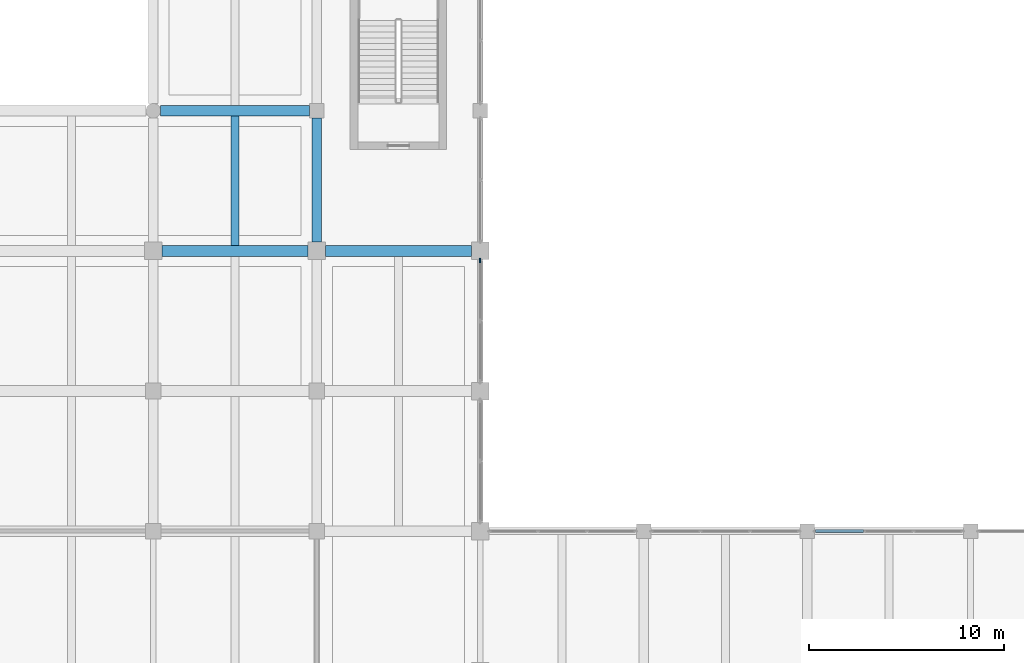
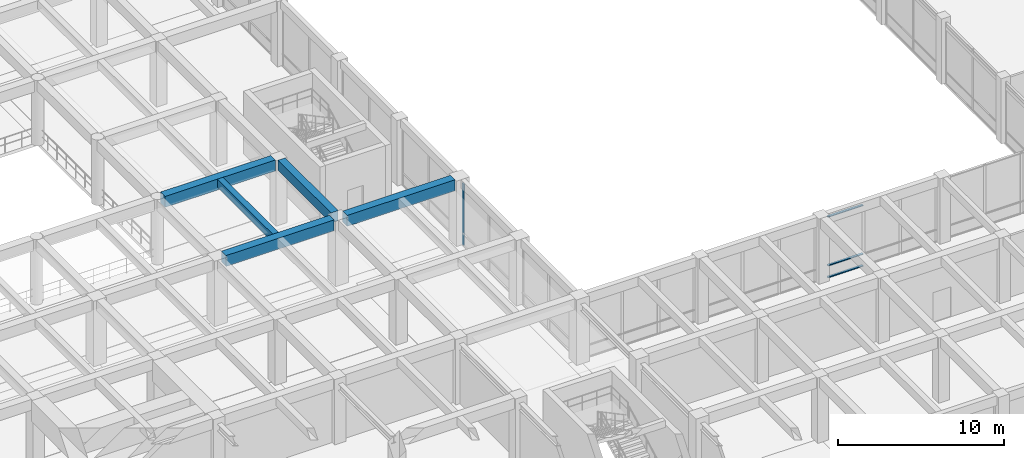
# One storey, part 17 of 52: 5 beams, 4 members, 2 elements without a shape of their own.
"""IFC4 building model written with IfcOpenShell, lengths in metres."""

from ifc_helpers import new_model, si_unit, direction, frame, origin, origin_2d, place, context, subcontext, project, spatial, rectangle, extrude, material, material_profile, profile_set, type_object, element, aggregate, save


model = new_model("IFC4")

# Units and contexts
model_context = context("Model", 3, precision=1e-05, world=origin(), true_north=direction((0.0, 1.0)))
body_context = subcontext(model_context, "Body", "Model", "MODEL_VIEW")
ifc_project = project(units=[si_unit("LENGTHUNIT", "METRE"), si_unit("AREAUNIT", "SQUARE_METRE"), si_unit("VOLUMEUNIT", "CUBIC_METRE"), si_unit("PLANEANGLEUNIT", "RADIAN"), si_unit("MASSUNIT", "GRAM", prefix="KILO")], contexts=[model_context])

# Site, building, storey
site_placement = place(None, origin())
site = spatial("IfcSite", under=ifc_project, at=site_placement, CompositionType="ELEMENT")
building_placement = place(site_placement, origin())
building = spatial("IfcBuilding", under=site, at=building_placement, Name="Kenerak Square Central Library", CompositionType="ELEMENT")
storey_placement = place(building_placement, frame((0.0, 0.0, 4.800048828125)))
storey = spatial("IfcBuildingStorey", under=building, at=storey_placement, Name="L01", CompositionType="ELEMENT", Elevation=4.800048828125)

# Curtain wall, member
ifc_material_1 = material(Name="Anodised aluminium and solar-control low-E glazing", Category="aluminium")
curtain_wall_type_1 = type_object("IfcCurtainWallType", Name="Curtain Wall CW-V1-63x45 6300x4500", PredefinedType="USERDEFINED", material=ifc_material_1)
curtain_wall_1_placement = place(storey_placement, origin())
curtain_wall_1 = element("IfcCurtainWall", 1, at=curtain_wall_1_placement, inside=storey, type_object=curtain_wall_type_1, Name="Curtain Wall CW-V1-63x45 L01 0033", ObjectType="CURTAIN WALL", PredefinedType="USERDEFINED")
ifc_material_2 = material(Name="Anodised aluminium 6063-T6", Category="aluminium")
ifc_material_profile_1 = material_profile(ifc_material_2, rectangle(XDim=0.074951171875, YDim=0.219970703125, at=origin_2d()), Name="AL MULLION 75x220")
ifc_profile_set_1 = profile_set([ifc_material_profile_1], Name="Anodised aluminium 6063-T6")
member_type_1 = type_object("IfcMemberType", Name="Curtain Mullion CM-02 75x220", PredefinedType="MULLION", material=ifc_profile_set_1)
member_1_placement = place(storey_placement, frame((117.199951171875, 52.3125, 0.0), z_axis=(0.0, 0.0, 1.0), x_axis=(1.0, 0.0, 0.0)))
member_1 = element("IfcMember", 2, at=member_1_placement, type_object=member_type_1, Name="CW-V1-63x45 Mullion 1", PredefinedType="MULLION", context=body_context, shape_type="SweptSolid", body=[
    extrude(rectangle(XDim=0.074951171875, YDim=0.219970703125, at=origin_2d()), origin(), (0.0, 0.0, 1.0), 4.5),
])
aggregate(curtain_wall_1, [member_1])

# Curtain wall, members
curtain_wall_type_2 = type_object("IfcCurtainWallType", Name="Curtain Wall CW-V6-76x45 7650x4500", PredefinedType="USERDEFINED", material=ifc_material_1)
curtain_wall_2_placement = place(storey_placement, origin())
curtain_wall_2 = element("IfcCurtainWall", 3, at=curtain_wall_2_placement, inside=storey, type_object=curtain_wall_type_2, Name="Curtain Wall CW-V6-76x45 L01 0037", ObjectType="CURTAIN WALL", PredefinedType="USERDEFINED")
ifc_material_profile_2 = material_profile(ifc_material_2, rectangle(XDim=0.159912109375, YDim=0.06494140625, at=origin_2d()), Name="AL TRANSOM 160x65")
ifc_profile_set_2 = profile_set([ifc_material_profile_2], Name="Anodised aluminium 6063-T6")
member_type_2 = type_object("IfcMemberType", Name="Curtain Transom CT-11 160x65", PredefinedType="USERDEFINED", material=ifc_profile_set_2)
member_2_placement = place(storey_placement, frame((134.43994140625, 38.39990234375, 0.032470703125), z_axis=(1.0, 0.0, 0.0), x_axis=(0.0, 1.0, 0.0)))
member_2 = element("IfcMember", 4, at=member_2_placement, type_object=member_type_2, Name="CW-V6-76x45 Transom 1.1", ObjectType="TRANSOM", PredefinedType="USERDEFINED", context=body_context, shape_type="SweptSolid", body=[
    extrude(rectangle(XDim=0.159912109375, YDim=0.06494140625, at=origin_2d()), origin(), (0.0, 0.0, 1.0), 2.45263671875),
])
member_3_placement = place(storey_placement, frame((134.43994140625, 38.39990234375, 0.89990234375), z_axis=(1.0, 0.0, 0.0), x_axis=(0.0, 1.0, 0.0)))
member_3 = element("IfcMember", 5, at=member_3_placement, type_object=member_type_2, Name="CW-V6-76x45 Transom 1.2", ObjectType="TRANSOM", PredefinedType="USERDEFINED", context=body_context, shape_type="SweptSolid", body=[
    extrude(rectangle(XDim=0.159912109375, YDim=0.06494140625, at=origin_2d()), origin(), (0.0, 0.0, 1.0), 2.45263671875),
])
member_4_placement = place(storey_placement, frame((134.43994140625, 38.39990234375, 4.467529296875), z_axis=(1.0, 0.0, 0.0), x_axis=(0.0, 1.0, 0.0)))
member_4 = element("IfcMember", 6, at=member_4_placement, type_object=member_type_2, Name="CW-V6-76x45 Transom 1.3", ObjectType="TRANSOM", PredefinedType="USERDEFINED", context=body_context, shape_type="SweptSolid", body=[
    extrude(rectangle(XDim=0.159912109375, YDim=0.06494140625, at=origin_2d()), origin(), (0.0, 0.0, 1.0), 2.45263671875),
])
aggregate(curtain_wall_2, [member_2, member_3, member_4])

# Beams
ifc_material_3 = material(Name="Concrete C40/50", Category="concrete")
ifc_material_profile_3 = material_profile(ifc_material_3, rectangle(XDim=0.550048828125, YDim=0.800048828125, at=origin_2d()), Name="RC 550x800")
ifc_profile_set_3 = profile_set([ifc_material_profile_3], Name="Concrete C40/50")
beam_type_1 = type_object("IfcBeamType", Name="Primary Reading Beam B-04 RC 550x800 C40/50", PredefinedType="BEAM", material=ifc_profile_set_3)
for number, where, z_axis, x_axis, name in (
    (7, (100.85009765625, 52.800048828125, 4.39990234375), (1.0, 0.0, 0.0), (0.0, 1.0, 0.0), "Beam B-04 L01 0921"),
    (8, (109.25, 52.800048828125, 4.39990234375), (1.0, 0.0, 0.0), (0.0, 1.0, 0.0), "Beam B-04 L01 0922"),
):
    element("IfcBeam", number, at=place(storey_placement, frame(where, z_axis=z_axis, x_axis=x_axis)), inside=storey, type_object=beam_type_1, Name=name, PredefinedType="BEAM", context=body_context, shape_type="SweptSolid", body=[
        extrude(rectangle(XDim=0.550048828125, YDim=0.800048828125, at=origin_2d()), origin(), (0.0, 0.0, 1.0), 7.5),
    ])
beam_1_placement = place(storey_placement, frame((100.77490234375, 60.0, 4.39990234375), z_axis=(1.0, 0.0, 0.0), x_axis=(0.0, 1.0, 0.0)))
element("IfcBeam", 9, at=beam_1_placement, inside=storey, type_object=beam_type_1, Name="Beam B-04 L01 0926", PredefinedType="BEAM", context=body_context, shape_type="SweptSolid", body=[
    extrude(rectangle(XDim=0.550048828125, YDim=0.800048828125, at=origin_2d()), origin(), (0.0, 0.0, 1.0), 7.650146484375),
])
ifc_material_profile_4 = material_profile(ifc_material_3, rectangle(XDim=0.39990234375, YDim=0.60009765625, at=origin_2d()), Name="RC 400x600")
ifc_profile_set_4 = profile_set([ifc_material_profile_4], Name="Concrete C40/50")
beam_type_2 = type_object("IfcBeamType", Name="Secondary Floor Joist J-01 RC 400x600 C40/50", PredefinedType="JOIST", material=ifc_profile_set_4)
beam_2_placement = place(storey_placement, frame((104.60009765625, 53.074951171875, 4.5), z_axis=(0.0, 1.0, 0.0), x_axis=(-1.0, 0.0, 0.0)))
element("IfcBeam", 10, at=beam_2_placement, inside=storey, type_object=beam_type_2, Name="Joist J-01 L01 1159", PredefinedType="JOIST", context=body_context, shape_type="SweptSolid", body=[
    extrude(rectangle(XDim=0.39990234375, YDim=0.60009765625, at=origin_2d()), origin(), (0.0, 0.0, 1.0), 6.650146484375),
])
ifc_material_profile_5 = material_profile(ifc_material_3, rectangle(XDim=0.5, YDim=0.75, at=origin_2d()), Name="RC 500x750")
ifc_profile_set_5 = profile_set([ifc_material_profile_5], Name="Concrete C40/50")
beam_type_3 = type_object("IfcBeamType", Name="Transverse Frame Beam B-05 RC 500x750 C40/50", PredefinedType="BEAM", material=ifc_profile_set_5)
beam_3_placement = place(storey_placement, frame((108.800048828125, 53.25, 4.425048828125), z_axis=(0.0, 1.0, 0.0), x_axis=(-1.0, 0.0, 0.0)))
element("IfcBeam", 11, at=beam_3_placement, inside=storey, type_object=beam_type_3, Name="Beam B-05 L01 1063", PredefinedType="BEAM", context=body_context, shape_type="SweptSolid", body=[
    extrude(rectangle(XDim=0.5, YDim=0.75, at=origin_2d()), origin(), (0.0, 0.0, 1.0), 6.375),
])

save(model, "model.ifc")
